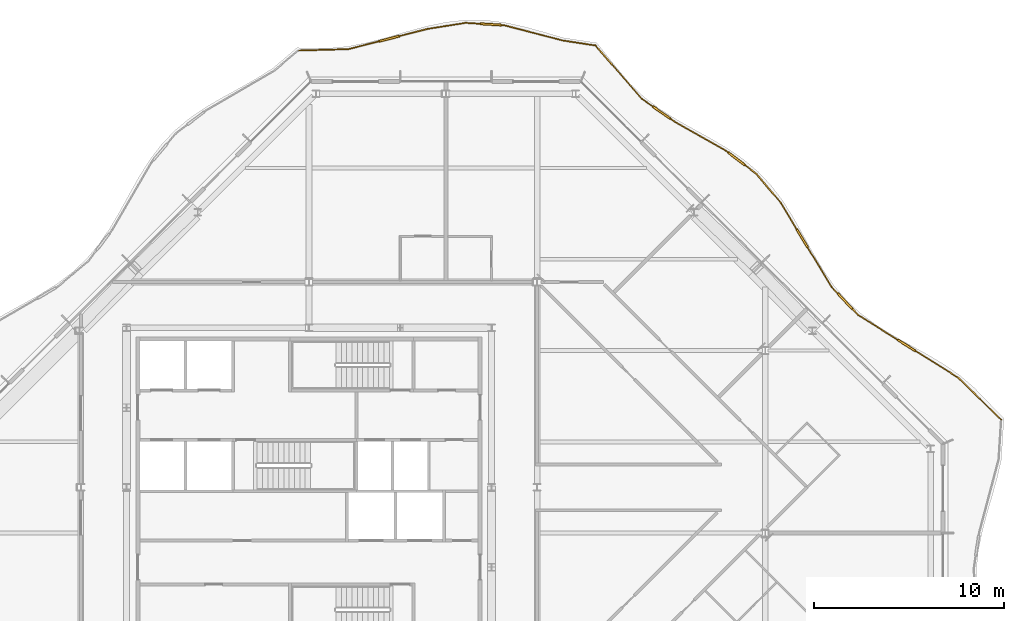
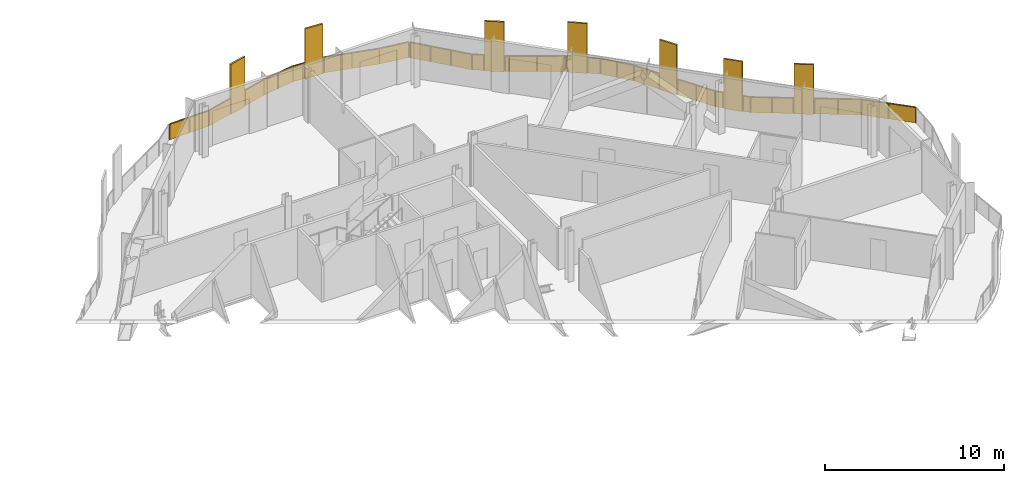
# One storey, part 17 of 17: 2 railings.
"""IFC4 building model written with IfcOpenShell, lengths in metres."""

from ifc_helpers import new_model, si_unit, direction, frame, origin, origin_2d, place, context, subcontext, project, spatial, polyline, rectangle, outline, extrude, material, type_object, element, save


model = new_model("IFC4")

# Units and contexts
model_context = context("Model", 3, precision=1e-05, world=origin(), true_north=direction((0.0, 1.0)))
body_context = subcontext(model_context, "Body", "Model", "MODEL_VIEW")
ifc_project = project(units=[si_unit("LENGTHUNIT", "METRE"), si_unit("AREAUNIT", "SQUARE_METRE"), si_unit("VOLUMEUNIT", "CUBIC_METRE"), si_unit("PLANEANGLEUNIT", "RADIAN"), si_unit("MASSUNIT", "GRAM", prefix="KILO")], contexts=[model_context])

# Site, building, storey
site_placement = place(None, origin())
site = spatial("IfcSite", under=ifc_project, at=site_placement, CompositionType="ELEMENT")
building_placement = place(site_placement, origin())
building = spatial("IfcBuilding", under=site, at=building_placement, Name="Cairn Pilgrim Tower", CompositionType="ELEMENT")
storey_placement = place(building_placement, frame((0.0, 0.0, 281.39990234375)))
storey = spatial("IfcBuildingStorey", under=building, at=storey_placement, Name="L72", CompositionType="ELEMENT", Elevation=281.39990234375)

# Railings
ifc_material = material(Name="Bronze anodised aluminium rail, posts and fin screens with laminated glass infill", Category="aluminium")
railing_type = type_object("IfcRailingType", Name="BALCONY GUARD WITH FIN SCREENS", PredefinedType="GUARDRAIL", material=ifc_material)
railing_1_placement = place(storey_placement, frame((43.604736328125, 5.966552734375, 0.0)))
element("IfcRailing", 1, at=railing_1_placement, inside=storey, type_object=railing_type, Name="Balcony guard BGF-4 with fin screens", PredefinedType="GUARDRAIL", context=body_context, shape_type="SweptSolid", body=[
    extrude(rectangle(XDim=0.050048828125, YDim=0.050048828125, at=origin_2d()), frame((0.0, 0.0, 1.0751953125), z_axis=(-0.714886207213, 0.699240810262, 0.0), x_axis=(-0.699240810262, -0.714886207213, 0.0)), (0.0, 0.0, 1.0), 3.152099609375),
    extrude(rectangle(XDim=1.10009765625, YDim=0.110107421875, at=origin_2d()), frame((-4.975341796875, 3.9091796875, 0.0), z_axis=(0.0, 0.0, 1.0), x_axis=(-0.847475278295, 0.530834863851, 0.0)), (0.0, 0.0, 1.0), 3.39990234375),
    extrude(rectangle(XDim=0.050048828125, YDim=0.050048828125, at=origin_2d()), frame((-2.25341796875, 2.2041015625, 1.0751953125), z_axis=(-0.847475278295, 0.530834863851, 0.0), x_axis=(-0.530834863851, -0.847475278295, 0.0)), (0.0, 0.0, 1.0), 2.661865234375),
    extrude(rectangle(XDim=0.050048828125, YDim=0.050048828125, at=origin_2d()), frame((-5.44140625, 4.200927734375, 1.0751953125), z_axis=(-0.847475278295, 0.530834863851, 0.0), x_axis=(-0.530834863851, -0.847475278295, 0.0)), (0.0, 0.0, 1.0), 2.431884765625),
    extrude(rectangle(XDim=1.10009765625, YDim=0.110107421875, at=origin_2d()), frame((-8.205322265625, 6.227783203125, 0.0), z_axis=(0.0, 0.0, 1.0), x_axis=(-0.690699814556, 0.723141594829, 0.0)), (0.0, 0.0, 1.0), 3.39990234375),
    extrude(rectangle(XDim=0.050048828125, YDim=0.050048828125, at=origin_2d()), frame((-7.50244140625, 5.491943359375, 1.0751953125), z_axis=(-0.690699814556, 0.723141594829, 0.0), x_axis=(-0.723141594829, -0.690699814556, 0.0)), (0.0, 0.0, 1.0), 0.467529296875),
    extrude(rectangle(XDim=0.050048828125, YDim=0.050048828125, at=origin_2d()), frame((-8.585205078125, 6.62548828125, 1.0751953125), z_axis=(-0.690699814556, 0.723141594829, 0.0), x_axis=(-0.723141594829, -0.690699814556, 0.0)), (0.0, 0.0, 1.0), 0.479248046875),
    extrude(rectangle(XDim=1.10009765625, YDim=0.110107421875, at=origin_2d()), frame((-10.462158203125, 9.53515625, 0.0), z_axis=(0.0, 0.0, 1.0), x_axis=(-0.516502486793, 0.856285688971, 0.0)), (0.0, 0.0, 1.0), 3.39990234375),
    extrude(rectangle(XDim=0.050048828125, YDim=0.050048828125, at=origin_2d()), frame((-8.916259765625, 6.97216796875, 1.0751953125), z_axis=(-0.516502486793, 0.856285688971, 0.0), x_axis=(-0.856285688971, -0.516502486793, 0.0)), (0.0, 0.0, 1.0), 2.443115234375),
    extrude(rectangle(XDim=0.050048828125, YDim=0.050048828125, at=origin_2d()), frame((-10.746337890625, 10.006103515625, 1.0751953125), z_axis=(-0.516502486793, 0.856285688971, 0.0), x_axis=(-0.856285688971, -0.516502486793, 0.0)), (0.0, 0.0, 1.0), 1.6416015625),
    extrude(rectangle(XDim=0.050048828125, YDim=0.050048828125, at=origin_2d()), frame((-11.59423828125, 11.411865234375, 1.0751953125), z_axis=(-0.64549112392, 0.763767771603, 0.0), x_axis=(-0.763767771603, -0.64549112392, 0.0)), (0.0, 0.0, 1.0), 1.98974609375),
    extrude(rectangle(XDim=1.10009765625, YDim=0.110107421875, at=origin_2d()), frame((-13.915771484375, 13.720947265625, 0.0), z_axis=(0.0, 0.0, 1.0), x_axis=(-0.795798052838, 0.605562101769, 0.0)), (0.0, 0.0, 1.0), 3.39990234375),
    extrude(rectangle(XDim=0.050048828125, YDim=0.050048828125, at=origin_2d()), frame((-12.878662109375, 12.931640625, 1.0751953125), z_axis=(-0.795798052838, 0.605562101769, 0.0), x_axis=(-0.605562101769, -0.795798052838, 0.0)), (0.0, 0.0, 1.0), 0.75341796875),
    extrude(rectangle(XDim=0.050048828125, YDim=0.050048828125, at=origin_2d()), frame((-14.353515625, 14.053955078125, 1.0751953125), z_axis=(-0.795798052838, 0.605562101769, 0.0), x_axis=(-0.605562101769, -0.795798052838, 0.0)), (0.0, 0.0, 1.0), 0.14990234375),
    extrude(rectangle(XDim=0.050048828125, YDim=0.050048828125, at=origin_2d()), frame((-14.472900390625, 14.144775390625, 1.0751953125), z_axis=(-0.869948497529, 0.493142587542, 0.0), x_axis=(-0.493142587542, -0.869948497529, 0.0)), (0.0, 0.0, 1.0), 3.126953125),
    extrude(rectangle(XDim=1.10009765625, YDim=0.110107421875, at=origin_2d()), frame((-17.85888671875, 16.150390625, 0.0), z_axis=(0.0, 0.0, 1.0), x_axis=(-0.820698307628, 0.571361783686, 0.0)), (0.0, 0.0, 1.0), 3.39990234375),
    extrude(rectangle(XDim=0.050048828125, YDim=0.050048828125, at=origin_2d()), frame((-17.193115234375, 15.686767578125, 1.0751953125), z_axis=(-0.820698307628, 0.571361783686, 0.0), x_axis=(-0.571361783686, -0.820698307628, 0.0)), (0.0, 0.0, 1.0), 0.26123046875),
    extrude(rectangle(XDim=0.050048828125, YDim=0.050048828125, at=origin_2d()), frame((-18.310302734375, 16.464599609375, 1.0751953125), z_axis=(-0.820698307628, 0.571361783686, 0.0), x_axis=(-0.571361783686, -0.820698307628, 0.0)), (0.0, 0.0, 1.0), 0.707763671875),
    extrude(rectangle(XDim=0.050048828125, YDim=0.050048828125, at=origin_2d()), frame((-18.89111328125, 16.868896484375, 1.0751953125), z_axis=(-0.657010153707, 0.753881726749, 0.0), x_axis=(-0.753881726749, -0.657010153707, 0.0)), (0.0, 0.0, 1.0), 3.66943359375),
    extrude(rectangle(XDim=0.050048828125, YDim=0.050048828125, at=origin_2d()), origin(), (0.0, 0.0, 1.0), 1.050048828125),
    extrude(rectangle(XDim=0.050048828125, YDim=0.050048828125, at=origin_2d()), frame((-1.126708984375, 1.10205078125, 0.0)), (0.0, 0.0, 1.0), 1.050048828125),
    extrude(rectangle(XDim=0.050048828125, YDim=0.050048828125, at=origin_2d()), frame((-2.25341796875, 2.2041015625, 0.0)), (0.0, 0.0, 1.0), 1.050048828125),
    extrude(rectangle(XDim=0.050048828125, YDim=0.050048828125, at=origin_2d()), frame((-3.370849609375, 2.904052734375, 0.0)), (0.0, 0.0, 1.0), 1.050048828125),
    extrude(rectangle(XDim=0.050048828125, YDim=0.050048828125, at=origin_2d()), frame((-4.488037109375, 3.603759765625, 0.0)), (0.0, 0.0, 1.0), 1.050048828125),
    extrude(rectangle(XDim=0.050048828125, YDim=0.050048828125, at=origin_2d()), frame((-5.462646484375, 4.21435546875, 0.0)), (0.0, 0.0, 1.0), 1.050048828125),
    extrude(rectangle(XDim=0.050048828125, YDim=0.050048828125, at=origin_2d()), frame((-6.482666015625, 4.85302734375, 0.0)), (0.0, 0.0, 1.0), 1.050048828125),
    extrude(rectangle(XDim=0.050048828125, YDim=0.050048828125, at=origin_2d()), frame((-7.50244140625, 5.491943359375, 0.0)), (0.0, 0.0, 1.0), 1.050048828125),
    extrude(rectangle(XDim=0.050048828125, YDim=0.050048828125, at=origin_2d()), frame((-7.80810546875, 5.81201171875, 0.0)), (0.0, 0.0, 1.0), 1.050048828125),
    extrude(rectangle(XDim=0.050048828125, YDim=0.050048828125, at=origin_2d()), frame((-8.6025390625, 6.6435546875, 0.0)), (0.0, 0.0, 1.0), 1.050048828125),
    extrude(rectangle(XDim=0.050048828125, YDim=0.050048828125, at=origin_2d()), frame((-8.916259765625, 6.97216796875, 0.0)), (0.0, 0.0, 1.0), 1.050048828125),
    extrude(rectangle(XDim=0.050048828125, YDim=0.050048828125, at=origin_2d()), frame((-9.540771484375, 8.007568359375, 0.0)), (0.0, 0.0, 1.0), 1.050048828125),
    extrude(rectangle(XDim=0.050048828125, YDim=0.050048828125, at=origin_2d()), frame((-10.165283203125, 9.042724609375, 0.0)), (0.0, 0.0, 1.0), 1.050048828125),
    extrude(rectangle(XDim=0.050048828125, YDim=0.050048828125, at=origin_2d()), frame((-10.75927734375, 10.027587890625, 0.0)), (0.0, 0.0, 1.0), 1.050048828125),
    extrude(rectangle(XDim=0.050048828125, YDim=0.050048828125, at=origin_2d()), frame((-11.59423828125, 11.411865234375, 0.0)), (0.0, 0.0, 1.0), 1.050048828125),
    extrude(rectangle(XDim=0.050048828125, YDim=0.050048828125, at=origin_2d()), frame((-12.236328125, 12.171875, 0.0)), (0.0, 0.0, 1.0), 1.050048828125),
    extrude(rectangle(XDim=0.050048828125, YDim=0.050048828125, at=origin_2d()), frame((-12.878662109375, 12.931640625, 0.0)), (0.0, 0.0, 1.0), 1.050048828125),
    extrude(rectangle(XDim=0.050048828125, YDim=0.050048828125, at=origin_2d()), frame((-13.458251953125, 13.37255859375, 0.0)), (0.0, 0.0, 1.0), 1.050048828125),
    extrude(rectangle(XDim=0.050048828125, YDim=0.050048828125, at=origin_2d()), frame((-14.37353515625, 14.069091796875, 0.0)), (0.0, 0.0, 1.0), 1.050048828125),
    extrude(rectangle(XDim=0.050048828125, YDim=0.050048828125, at=origin_2d()), frame((-14.472900390625, 14.144775390625, 0.0)), (0.0, 0.0, 1.0), 1.050048828125),
    extrude(rectangle(XDim=0.050048828125, YDim=0.050048828125, at=origin_2d()), frame((-15.8330078125, 14.915771484375, 0.0)), (0.0, 0.0, 1.0), 1.050048828125),
    extrude(rectangle(XDim=0.050048828125, YDim=0.050048828125, at=origin_2d()), frame((-17.193115234375, 15.686767578125, 0.0)), (0.0, 0.0, 1.0), 1.050048828125),
    extrude(rectangle(XDim=0.050048828125, YDim=0.050048828125, at=origin_2d()), frame((-17.386962890625, 15.82177734375, 0.0)), (0.0, 0.0, 1.0), 1.050048828125),
    extrude(rectangle(XDim=0.050048828125, YDim=0.050048828125, at=origin_2d()), frame((-18.330810546875, 16.478759765625, 0.0)), (0.0, 0.0, 1.0), 1.050048828125),
    extrude(rectangle(XDim=0.050048828125, YDim=0.050048828125, at=origin_2d()), frame((-18.89111328125, 16.868896484375, 0.0)), (0.0, 0.0, 1.0), 1.050048828125),
    extrude(rectangle(XDim=0.050048828125, YDim=0.050048828125, at=origin_2d()), frame((-19.69482421875, 17.791015625, 0.0)), (0.0, 0.0, 1.0), 1.050048828125),
    extrude(rectangle(XDim=0.050048828125, YDim=0.050048828125, at=origin_2d()), frame((-20.498291015625, 18.713134765625, 0.0)), (0.0, 0.0, 1.0), 1.050048828125),
    extrude(rectangle(XDim=0.050048828125, YDim=0.050048828125, at=origin_2d()), frame((-21.302001953125, 19.63525390625, 0.0)), (0.0, 0.0, 1.0), 1.050048828125),
    extrude(outline(polyline([(0.02490234375, 0.0), (1.551025390625, 0.0), (1.551025390625, 1.050048828125), (0.02490234375, 1.050048828125), (0.02490234375, 0.0)])), frame((-0.004150390625, -0.00439453125, 0.0), z_axis=(0.699240810262, 0.714886207213, 0.0), x_axis=(-0.714886207213, 0.699240810262, 0.0)), (0.0, 0.0, 1.0), 0.011962890625),
    extrude(outline(polyline([(0.02490234375, 0.0), (1.551025390625, 0.0), (1.551025390625, 1.050048828125), (0.02490234375, 1.050048828125), (0.02490234375, 0.0)])), frame((-1.130859375, 1.09765625, 0.0), z_axis=(0.699240810262, 0.714886207213, 0.0), x_axis=(-0.714886207213, 0.699240810262, 0.0)), (0.0, 0.0, 1.0), 0.011962890625),
    extrude(outline(polyline([(0.02490234375, 0.0), (1.29345703125, 0.0), (1.29345703125, 1.050048828125), (0.02490234375, 1.050048828125), (0.02490234375, 0.0)])), frame((-2.256591796875, 2.198974609375, 0.0), z_axis=(0.530834863851, 0.847475278295, 0.0), x_axis=(-0.847475278295, 0.530834863851, 0.0)), (0.0, 0.0, 1.0), 0.011962890625),
    extrude(outline(polyline([(0.02490234375, 0.0), (1.29345703125, 0.0), (1.29345703125, 1.050048828125), (0.02490234375, 1.050048828125), (0.02490234375, 0.0)])), frame((-3.3740234375, 2.89892578125, 0.0), z_axis=(0.530834863851, 0.847475278295, 0.0), x_axis=(-0.847475278295, 0.530834863851, 0.0)), (0.0, 0.0, 1.0), 0.011962890625),
    extrude(outline(polyline([(0.02490234375, 0.0), (1.178466796875, 0.0), (1.178466796875, 1.050048828125), (0.02490234375, 1.050048828125), (0.02490234375, 0.0)])), frame((-5.4658203125, 4.209228515625, 0.0), z_axis=(0.530834863851, 0.847475278295, 0.0), x_axis=(-0.847475278295, 0.530834863851, 0.0)), (0.0, 0.0, 1.0), 0.011962890625),
    extrude(outline(polyline([(0.02490234375, 0.0), (1.178466796875, 0.0), (1.178466796875, 1.050048828125), (0.02490234375, 1.050048828125), (0.02490234375, 0.0)])), frame((-6.48583984375, 4.84814453125, 0.0), z_axis=(0.530834863851, 0.847475278295, 0.0), x_axis=(-0.847475278295, 0.530834863851, 0.0)), (0.0, 0.0, 1.0), 0.011962890625),
    extrude(outline(polyline([(0.02490234375, 0.0), (0.41748046875, 0.0), (0.41748046875, 1.050048828125), (0.02490234375, 1.050048828125), (0.02490234375, 0.0)])), frame((-7.5068359375, 5.48779296875, 0.0), z_axis=(0.723141594829, 0.690699814556, 0.0), x_axis=(-0.690699814556, 0.723141594829, 0.0)), (0.0, 0.0, 1.0), 0.011962890625),
    extrude(outline(polyline([(0.02490234375, 0.0), (0.42919921875, 0.0), (0.42919921875, 1.050048828125), (0.02490234375, 1.050048828125), (0.02490234375, 0.0)])), frame((-8.60693359375, 6.6396484375, 0.0), z_axis=(0.723141594829, 0.690699814556, 0.0), x_axis=(-0.690699814556, 0.723141594829, 0.0)), (0.0, 0.0, 1.0), 0.011962890625),
    extrude(outline(polyline([(0.02490234375, 0.0), (1.18408203125, 0.0), (1.18408203125, 1.050048828125), (0.02490234375, 1.050048828125), (0.02490234375, 0.0)])), frame((-8.92138671875, 6.968994140625, 0.0), z_axis=(0.856285688971, 0.516502486793, 0.0), x_axis=(-0.516502486793, 0.856285688971, 0.0)), (0.0, 0.0, 1.0), 0.011962890625),
    extrude(outline(polyline([(0.02490234375, 0.0), (1.18408203125, 0.0), (1.18408203125, 1.050048828125), (0.02490234375, 1.050048828125), (0.02490234375, 0.0)])), frame((-9.5458984375, 8.00439453125, 0.0), z_axis=(0.856285688971, 0.516502486793, 0.0), x_axis=(-0.516502486793, 0.856285688971, 0.0)), (0.0, 0.0, 1.0), 0.011962890625),
    extrude(outline(polyline([(0.02490234375, 0.0), (1.591552734375, 0.0), (1.591552734375, 1.050048828125), (0.02490234375, 1.050048828125), (0.02490234375, 0.0)])), frame((-10.764404296875, 10.0244140625, 0.0), z_axis=(0.856285688971, 0.516502486793, 0.0), x_axis=(-0.516502486793, 0.856285688971, 0.0)), (0.0, 0.0, 1.0), 0.011962890625),
    extrude(outline(polyline([(0.02490234375, 0.0), (0.969970703125, 0.0), (0.969970703125, 1.050048828125), (0.02490234375, 1.050048828125), (0.02490234375, 0.0)])), frame((-11.598876953125, 11.407958984375, 0.0), z_axis=(0.763767771603, 0.64549112392, 0.0), x_axis=(-0.64549112392, 0.763767771603, 0.0)), (0.0, 0.0, 1.0), 0.011962890625),
    extrude(outline(polyline([(0.02490234375, 0.0), (0.969970703125, 0.0), (0.969970703125, 1.050048828125), (0.02490234375, 1.050048828125), (0.02490234375, 0.0)])), frame((-12.240966796875, 12.16796875, 0.0), z_axis=(0.763767771603, 0.64549112392, 0.0), x_axis=(-0.64549112392, 0.763767771603, 0.0)), (0.0, 0.0, 1.0), 0.011962890625),
    extrude(outline(polyline([(0.02490234375, 0.0), (0.703369140625, 0.0), (0.703369140625, 1.050048828125), (0.02490234375, 1.050048828125), (0.02490234375, 0.0)])), frame((-12.88232421875, 12.927001953125, 0.0), z_axis=(0.605562101769, 0.795798052838, 0.0), x_axis=(-0.795798052838, 0.605562101769, 0.0)), (0.0, 0.0, 1.0), 0.011962890625),
    extrude(outline(polyline([(0.02490234375, 0.0), (0.099853515625, 0.0), (0.099853515625, 1.050048828125), (0.02490234375, 1.050048828125), (0.02490234375, 0.0)])), frame((-14.377197265625, 14.064453125, 0.0), z_axis=(0.605562101769, 0.795798052838, 0.0), x_axis=(-0.795798052838, 0.605562101769, 0.0)), (0.0, 0.0, 1.0), 0.011962890625),
    extrude(outline(polyline([(0.02490234375, 0.0), (1.538330078125, 0.0), (1.538330078125, 1.050048828125), (0.02490234375, 1.050048828125), (0.02490234375, 0.0)])), frame((-14.475830078125, 14.1396484375, 0.0), z_axis=(0.493142587542, 0.869948497529, 0.0), x_axis=(-0.869948497529, 0.493142587542, 0.0)), (0.0, 0.0, 1.0), 0.011962890625),
    extrude(outline(polyline([(0.02490234375, 0.0), (1.538330078125, 0.0), (1.538330078125, 1.050048828125), (0.02490234375, 1.050048828125), (0.02490234375, 0.0)])), frame((-15.8359375, 14.91064453125, 0.0), z_axis=(0.493142587542, 0.869948497529, 0.0), x_axis=(-0.869948497529, 0.493142587542, 0.0)), (0.0, 0.0, 1.0), 0.011962890625),
    extrude(outline(polyline([(0.02490234375, 0.0), (0.211181640625, 0.0), (0.211181640625, 1.050048828125), (0.02490234375, 1.050048828125), (0.02490234375, 0.0)])), frame((-17.196533203125, 15.681884765625, 0.0), z_axis=(0.571361783686, 0.820698307628, 0.0), x_axis=(-0.820698307628, 0.571361783686, 0.0)), (0.0, 0.0, 1.0), 0.011962890625),
    extrude(outline(polyline([(0.02490234375, 0.0), (0.65771484375, 0.0), (0.65771484375, 1.050048828125), (0.02490234375, 1.050048828125), (0.02490234375, 0.0)])), frame((-18.334228515625, 16.473876953125, 0.0), z_axis=(0.571361783686, 0.820698307628, 0.0), x_axis=(-0.820698307628, 0.571361783686, 0.0)), (0.0, 0.0, 1.0), 0.011962890625),
    extrude(outline(polyline([(0.02490234375, 0.0), (1.1982421875, 0.0), (1.1982421875, 1.050048828125), (0.02490234375, 1.050048828125), (0.02490234375, 0.0)])), frame((-18.8955078125, 16.864990234375, 0.0), z_axis=(0.753881726749, 0.657010153707, 0.0), x_axis=(-0.657010153707, 0.753881726749, 0.0)), (0.0, 0.0, 1.0), 0.011962890625),
    extrude(outline(polyline([(0.02490234375, 0.0), (1.1982421875, 0.0), (1.1982421875, 1.050048828125), (0.02490234375, 1.050048828125), (0.02490234375, 0.0)])), frame((-19.69921875, 17.787109375, 0.0), z_axis=(0.753881726749, 0.657010153707, 0.0), x_axis=(-0.657010153707, 0.753881726749, 0.0)), (0.0, 0.0, 1.0), 0.011962890625),
    extrude(outline(polyline([(0.02490234375, 0.0), (1.1982421875, 0.0), (1.1982421875, 1.050048828125), (0.02490234375, 1.050048828125), (0.02490234375, 0.0)])), frame((-20.5029296875, 18.709228515625, 0.0), z_axis=(0.753881726749, 0.657010153707, 0.0), x_axis=(-0.657010153707, 0.753881726749, 0.0)), (0.0, 0.0, 1.0), 0.011962890625),
])
railing_2_placement = place(storey_placement, frame((22.26318359375, 25.64697265625, 0.0)))
element("IfcRailing", 2, at=railing_2_placement, inside=storey, type_object=railing_type, Name="Balcony guard BGF-5 with fin screens", PredefinedType="GUARDRAIL", context=body_context, shape_type="SweptSolid", body=[
    extrude(rectangle(XDim=0.050048828125, YDim=0.050048828125, at=origin_2d()), frame((0.0, 0.0, 1.0751953125), z_axis=(-0.988603876901, 0.150540275598, 0.0), x_axis=(-0.150540275598, -0.988603876901, 0.0)), (0.0, 0.0, 1.0), 1.74169921875),
    extrude(rectangle(XDim=0.050048828125, YDim=0.050048828125, at=origin_2d()), frame((-1.721923828125, 0.26220703125, 1.0751953125), z_axis=(-0.967698697029, 0.252109563025, 0.0), x_axis=(-0.252109563025, -0.967698697029, 0.0)), (0.0, 0.0, 1.0), 3.18212890625),
    extrude(rectangle(XDim=1.10009765625, YDim=0.110107421875, at=origin_2d()), frame((-5.5, 1.107421875, 0.0), z_axis=(0.0, 0.0, 1.0), x_axis=(-0.998109714057, 0.061457291708, 0.0)), (0.0, 0.0, 1.0), 3.39990234375),
    extrude(rectangle(XDim=0.050048828125, YDim=0.050048828125, at=origin_2d()), frame((-4.80126953125, 1.064453125, 1.0751953125), z_axis=(-0.998109714057, 0.061457291708, 0.0), x_axis=(-0.061457291708, -0.998109714057, 0.0)), (0.0, 0.0, 1.0), 0.14990234375),
    extrude(rectangle(XDim=0.050048828125, YDim=0.050048828125, at=origin_2d()), frame((-6.048828125, 1.141357421875, 1.0751953125), z_axis=(-0.998109714057, 0.061457291708, 0.0), x_axis=(-0.061457291708, -0.998109714057, 0.0)), (0.0, 0.0, 1.0), 0.780029296875),
    extrude(rectangle(XDim=0.050048828125, YDim=0.050048828125, at=origin_2d()), frame((-6.827392578125, 1.189208984375, 1.0751953125), z_axis=(-0.987476849243, -0.157763976274, 0.0), x_axis=(0.157763976274, -0.987476849243, 0.0)), (0.0, 0.0, 1.0), 2.059814453125),
    extrude(rectangle(XDim=1.10009765625, YDim=0.110107421875, at=origin_2d()), frame((-10.841064453125, 0.3564453125, 0.0), z_axis=(0.0, 0.0, 1.0), x_axis=(-0.968650421127, -0.248427779547, 0.0)), (0.0, 0.0, 1.0), 3.39990234375),
    extrude(rectangle(XDim=0.050048828125, YDim=0.050048828125, at=origin_2d()), frame((-8.861328125, 0.8642578125, 1.0751953125), z_axis=(-0.968650421127, -0.248427779547, 0.0), x_axis=(0.248427779547, -0.968650421127, 0.0)), (0.0, 0.0, 1.0), 1.493896484375),
    extrude(rectangle(XDim=0.050048828125, YDim=0.050048828125, at=origin_2d()), frame((-11.3740234375, 0.219970703125, 1.0751953125), z_axis=(-0.968650421127, -0.248427779547, 0.0), x_axis=(0.248427779547, -0.968650421127, 0.0)), (0.0, 0.0, 1.0), 1.663330078125),
    extrude(rectangle(XDim=0.050048828125, YDim=0.050048828125, at=origin_2d()), frame((-12.985107421875, -0.193359375, 1.0751953125), z_axis=(-0.999617532891, -0.027654799536, 0.0), x_axis=(0.027654799536, -0.999617532891, 0.0)), (0.0, 0.0, 1.0), 2.595458984375),
    extrude(rectangle(XDim=0.050048828125, YDim=0.050048828125, at=origin_2d()), origin(), (0.0, 0.0, 1.0), 1.050048828125),
    extrude(rectangle(XDim=0.050048828125, YDim=0.050048828125, at=origin_2d()), frame((-1.721923828125, 0.26220703125, 0.0)), (0.0, 0.0, 1.0), 1.050048828125),
    extrude(rectangle(XDim=0.050048828125, YDim=0.050048828125, at=origin_2d()), frame((-3.26171875, 0.663330078125, 0.0)), (0.0, 0.0, 1.0), 1.050048828125),
    extrude(rectangle(XDim=0.050048828125, YDim=0.050048828125, at=origin_2d()), frame((-4.80126953125, 1.064453125, 0.0)), (0.0, 0.0, 1.0), 1.050048828125),
    extrude(rectangle(XDim=0.050048828125, YDim=0.050048828125, at=origin_2d()), frame((-4.926025390625, 1.072021484375, 0.0)), (0.0, 0.0, 1.0), 1.050048828125),
    extrude(rectangle(XDim=0.050048828125, YDim=0.050048828125, at=origin_2d()), frame((-6.073974609375, 1.142822265625, 0.0)), (0.0, 0.0, 1.0), 1.050048828125),
    extrude(rectangle(XDim=0.050048828125, YDim=0.050048828125, at=origin_2d()), frame((-6.827392578125, 1.189208984375, 0.0)), (0.0, 0.0, 1.0), 1.050048828125),
    extrude(rectangle(XDim=0.050048828125, YDim=0.050048828125, at=origin_2d()), frame((-7.84423828125, 1.02685546875, 0.0)), (0.0, 0.0, 1.0), 1.050048828125),
    extrude(rectangle(XDim=0.050048828125, YDim=0.050048828125, at=origin_2d()), frame((-8.861328125, 0.8642578125, 0.0)), (0.0, 0.0, 1.0), 1.050048828125),
    extrude(rectangle(XDim=0.050048828125, YDim=0.050048828125, at=origin_2d()), frame((-10.2841796875, 0.499267578125, 0.0)), (0.0, 0.0, 1.0), 1.050048828125),
    extrude(rectangle(XDim=0.050048828125, YDim=0.050048828125, at=origin_2d()), frame((-11.398193359375, 0.213623046875, 0.0)), (0.0, 0.0, 1.0), 1.050048828125),
    extrude(rectangle(XDim=0.050048828125, YDim=0.050048828125, at=origin_2d()), frame((-12.985107421875, -0.193359375, 0.0)), (0.0, 0.0, 1.0), 1.050048828125),
    extrude(rectangle(XDim=0.050048828125, YDim=0.050048828125, at=origin_2d()), frame((-14.2822265625, -0.229248046875, 0.0)), (0.0, 0.0, 1.0), 1.050048828125),
    extrude(rectangle(XDim=0.050048828125, YDim=0.050048828125, at=origin_2d()), frame((-15.57958984375, -0.26513671875, 0.0)), (0.0, 0.0, 1.0), 1.050048828125),
    extrude(outline(polyline([(0.02490234375, 0.0), (1.716796875, 0.0), (1.716796875, 1.050048828125), (0.02490234375, 1.050048828125), (0.02490234375, 0.0)])), frame((-0.0009765625, -0.005859375, 0.0), z_axis=(0.150540275598, 0.988603876901, 0.0), x_axis=(-0.988603876901, 0.150540275598, 0.0)), (0.0, 0.0, 1.0), 0.011962890625),
    extrude(outline(polyline([(0.02490234375, 0.0), (1.566162109375, 0.0), (1.566162109375, 1.050048828125), (0.02490234375, 1.050048828125), (0.02490234375, 0.0)])), frame((-1.723388671875, 0.25634765625, 0.0), z_axis=(0.252109563025, 0.967698697029, 0.0), x_axis=(-0.967698697029, 0.252109563025, 0.0)), (0.0, 0.0, 1.0), 0.011962890625),
    extrude(outline(polyline([(0.02490234375, 0.0), (1.566162109375, 0.0), (1.566162109375, 1.050048828125), (0.02490234375, 1.050048828125), (0.02490234375, 0.0)])), frame((-3.26318359375, 0.657470703125, 0.0), z_axis=(0.252109563025, 0.967698697029, 0.0), x_axis=(-0.967698697029, 0.252109563025, 0.0)), (0.0, 0.0, 1.0), 0.011962890625),
    extrude(outline(polyline([(0.02490234375, 0.0), (0.099853515625, 0.0), (0.099853515625, 1.050048828125), (0.02490234375, 1.050048828125), (0.02490234375, 0.0)])), frame((-4.8017578125, 1.05859375, 0.0), z_axis=(0.061457291708, 0.998109714057, 0.0), x_axis=(-0.998109714057, 0.061457291708, 0.0)), (0.0, 0.0, 1.0), 0.011962890625),
    extrude(outline(polyline([(0.02490234375, 0.0), (0.72998046875, 0.0), (0.72998046875, 1.050048828125), (0.02490234375, 1.050048828125), (0.02490234375, 0.0)])), frame((-6.07421875, 1.136962890625, 0.0), z_axis=(0.061457291708, 0.998109714057, 0.0), x_axis=(-0.998109714057, 0.061457291708, 0.0)), (0.0, 0.0, 1.0), 0.011962890625),
    extrude(outline(polyline([(0.02490234375, 0.0), (1.0048828125, 0.0), (1.0048828125, 1.050048828125), (0.02490234375, 1.050048828125), (0.02490234375, 0.0)])), frame((-6.826416015625, 1.183349609375, 0.0), z_axis=(-0.157763976274, 0.987476849243, 0.0), x_axis=(-0.987476849243, -0.157763976274, 0.0)), (0.0, 0.0, 1.0), 0.011962890625),
    extrude(outline(polyline([(0.02490234375, 0.0), (1.0048828125, 0.0), (1.0048828125, 1.050048828125), (0.02490234375, 1.050048828125), (0.02490234375, 0.0)])), frame((-7.843505859375, 1.020751953125, 0.0), z_axis=(-0.157763976274, 0.987476849243, 0.0), x_axis=(-0.987476849243, -0.157763976274, 0.0)), (0.0, 0.0, 1.0), 0.011962890625),
    extrude(outline(polyline([(0.02490234375, 0.0), (1.44384765625, 0.0), (1.44384765625, 1.050048828125), (0.02490234375, 1.050048828125), (0.02490234375, 0.0)])), frame((-8.85986328125, 0.8583984375, 0.0), z_axis=(-0.248427779547, 0.968650421127, 0.0), x_axis=(-0.968650421127, -0.248427779547, 0.0)), (0.0, 0.0, 1.0), 0.011962890625),
    extrude(outline(polyline([(0.02490234375, 0.0), (1.61328125, 0.0), (1.61328125, 1.050048828125), (0.02490234375, 1.050048828125), (0.02490234375, 0.0)])), frame((-11.396728515625, 0.207763671875, 0.0), z_axis=(-0.248427779547, 0.968650421127, 0.0), x_axis=(-0.968650421127, -0.248427779547, 0.0)), (0.0, 0.0, 1.0), 0.011962890625),
    extrude(outline(polyline([(0.02490234375, 0.0), (1.272705078125, 0.0), (1.272705078125, 1.050048828125), (0.02490234375, 1.050048828125), (0.02490234375, 0.0)])), frame((-12.98486328125, -0.19921875, 0.0), z_axis=(-0.027654799536, 0.999617532891, 0.0), x_axis=(-0.999617532891, -0.027654799536, 0.0)), (0.0, 0.0, 1.0), 0.011962890625),
    extrude(outline(polyline([(0.02490234375, 0.0), (1.272705078125, 0.0), (1.272705078125, 1.050048828125), (0.02490234375, 1.050048828125), (0.02490234375, 0.0)])), frame((-14.2822265625, -0.235107421875, 0.0), z_axis=(-0.027654799536, 0.999617532891, 0.0), x_axis=(-0.999617532891, -0.027654799536, 0.0)), (0.0, 0.0, 1.0), 0.011962890625),
])

save(model, "model.ifc")
